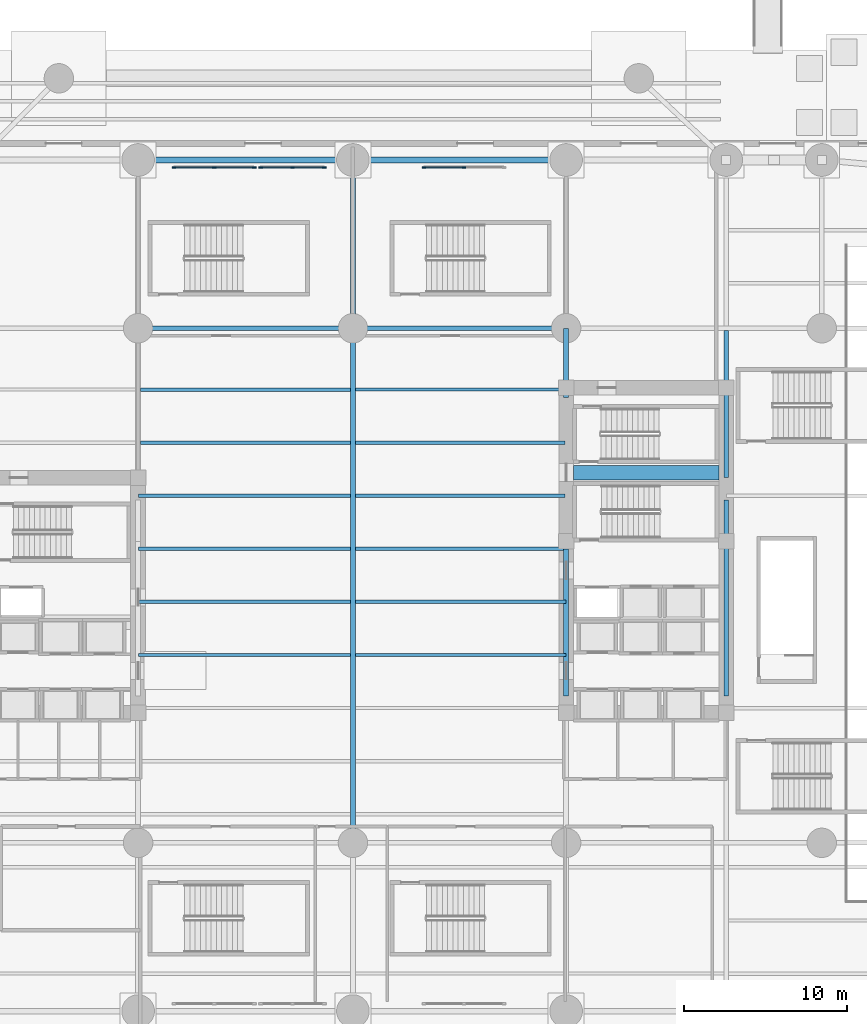
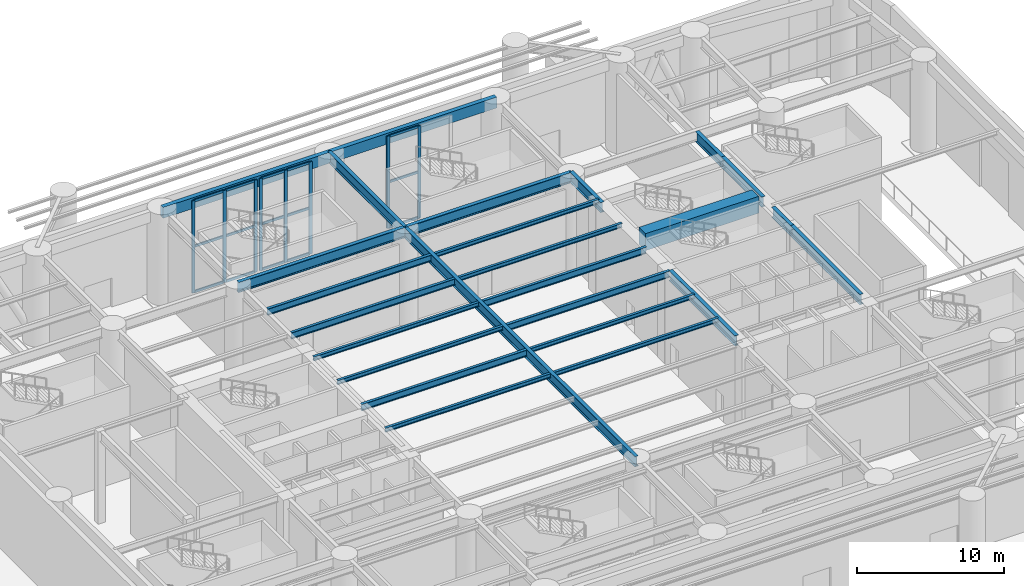
# One storey, part 5 of 25: 25 beams, 23 members, 3 elements without a shape of their own.
"""IFC4 building model written with IfcOpenShell, lengths in metres."""

from ifc_helpers import new_model, si_unit, direction, frame, origin, origin_2d, place, context, subcontext, project, spatial, rectangle, hollow_rectangle, i_section, extrude, material, material_profile, profile_set, type_object, element, aggregate, save


model = new_model("IFC4")

# Units and contexts
model_context = context("Model", 3, precision=1e-05, world=origin(), true_north=direction((0.0, 1.0)))
body_context = subcontext(model_context, "Body", "Model", "MODEL_VIEW")
ifc_project = project(units=[si_unit("LENGTHUNIT", "METRE"), si_unit("AREAUNIT", "SQUARE_METRE"), si_unit("VOLUMEUNIT", "CUBIC_METRE"), si_unit("PLANEANGLEUNIT", "RADIAN"), si_unit("MASSUNIT", "GRAM", prefix="KILO")], contexts=[model_context])

# Site, building, storey
site_placement = place(None, origin())
site = spatial("IfcSite", under=ifc_project, at=site_placement, CompositionType="ELEMENT")
building_placement = place(site_placement, origin())
building = spatial("IfcBuilding", under=site, at=building_placement, Name="Kolvaren Arena Tower", CompositionType="ELEMENT")
storey_placement = place(building_placement, origin())
storey = spatial("IfcBuildingStorey", under=building, at=storey_placement, Name="L00", CompositionType="ELEMENT", Elevation=0.0)

# Beams
ifc_material_1 = material(Name="Steel CSA G40.21 350W", Category="steel")
ifc_material_profile_1 = material_profile(ifc_material_1, i_section(OverallWidth=0.2119140625, OverallDepth=0.54296875, WebThickness=0.01318359375, FlangeThickness=0.0244140625, FilletRadius=0.013916015625, at=origin_2d()), Name="W530x150")
ifc_profile_set_1 = profile_set([ifc_material_profile_1], Name="Steel CSA G40.21 350W")
beam_type_1 = type_object("IfcBeamType", Name="BEAM-F1", PredefinedType="BEAM", material=ifc_profile_set_1)
beam_1_placement = place(storey_placement, frame((24.3701171875, 26.25, 7.37841796875), z_axis=(1.0, 0.0, 0.0), x_axis=(0.0, 1.0, 0.0)))
element("IfcBeam", 1, at=beam_1_placement, inside=storey, type_object=beam_type_1, Name="Composite Floor Beam (L00)", PredefinedType="BEAM", context=body_context, shape_type="SweptSolid", body=[
    extrude(i_section(OverallWidth=0.2119140625, OverallDepth=0.54296875, WebThickness=0.01318359375, FlangeThickness=0.0244140625, FilletRadius=0.013916015625, at=origin_2d()), origin(), (0.0, 0.0, 1.0), 12.98388671875),
])
for number, where, z_axis, x_axis, name in (
    (2, (37.64599609375, 29.5, 7.37841796875), (1.0, 0.0, 0.0), (0.0, 1.0, 0.0), "Composite Floor Beam (L00)"),
    (3, (37.64599609375, 32.75, 7.37841796875), (1.0, 0.0, 0.0), (0.0, 1.0, 0.0), "Composite Floor Beam (L00)"),
):
    element("IfcBeam", number, at=place(storey_placement, frame(where, z_axis=z_axis, x_axis=x_axis)), inside=storey, type_object=beam_type_1, Name=name, PredefinedType="BEAM", context=body_context, shape_type="SweptSolid", body=[
        extrude(i_section(OverallWidth=0.2119140625, OverallDepth=0.54296875, WebThickness=0.01318359375, FlangeThickness=0.0244140625, FilletRadius=0.013916015625, at=origin_2d()), origin(), (0.0, 0.0, 1.0), 12.833984375),
    ])
for number, where, z_axis, x_axis, name in (
    (4, (24.49609375, 36.0, 7.37841796875), (1.0, 0.0, 0.0), (0.0, 1.0, 0.0), "Composite Floor Beam (L00)"),
    (5, (24.49609375, 39.25, 7.37841796875), (1.0, 0.0, 0.0), (0.0, 1.0, 0.0), "Composite Floor Beam (L00)"),
):
    element("IfcBeam", number, at=place(storey_placement, frame(where, z_axis=z_axis, x_axis=x_axis)), inside=storey, type_object=beam_type_1, Name=name, PredefinedType="BEAM", context=body_context, shape_type="SweptSolid", body=[
        extrude(i_section(OverallWidth=0.2119140625, OverallDepth=0.54296875, WebThickness=0.01318359375, FlangeThickness=0.0244140625, FilletRadius=0.013916015625, at=origin_2d()), origin(), (0.0, 0.0, 1.0), 12.85791015625),
    ])
ifc_material_2 = material(Name="Concrete 75 MPa", Category="concrete")
ifc_material_profile_2 = material_profile(ifc_material_2, rectangle(XDim=0.89990234375, YDim=1.39990234375, at=origin_2d()), Name="RC-900x1400")
ifc_profile_set_2 = profile_set([ifc_material_profile_2], Name="Concrete 75 MPa")
beam_type_2 = type_object("IfcBeamType", Name="CB-CORE-1", PredefinedType="BEAM", material=ifc_profile_set_2)
beam_2_placement = place(storey_placement, frame((51.0, 34.14990234375, 7.219970703125), z_axis=(1.0, 0.0, 0.0), x_axis=(0.0, 1.0, 0.0)))
element("IfcBeam", 6, at=beam_2_placement, inside=storey, type_object=beam_type_2, Name="East Core Coupling Beam (L00)", PredefinedType="BEAM", context=body_context, shape_type="SweptSolid", body=[
    extrude(rectangle(XDim=0.89990234375, YDim=1.39990234375, at=origin_2d()), origin(), (0.0, 0.0, 1.0), 8.89990234375),
])

# Curtain wall, members
ifc_material_3 = material(Name="Anodised aluminium unitised curtain wall", Category="aluminium")
curtain_wall_type = type_object("IfcCurtainWallType", Name="CW-SYS-01", PredefinedType="USERDEFINED", material=ifc_material_3)
curtain_wall_1_placement = place(storey_placement, origin())
curtain_wall_1 = element("IfcCurtainWall", 7, at=curtain_wall_1_placement, inside=storey, type_object=curtain_wall_type, Name="Ground Concourse Unitised Curtain Wall (L00)", ObjectType="UNITISED CURTAIN WALL", PredefinedType="USERDEFINED")
ifc_material_4 = material(Name="Anodised aluminium 6063-T6", Category="aluminium")
ifc_material_profile_3 = material_profile(ifc_material_4, rectangle(XDim=0.10009765625, YDim=0.239990234375, at=origin_2d()), Name="ALU-100x240")
ifc_profile_set_3 = profile_set([ifc_material_profile_3], Name="Anodised aluminium 6063-T6")
member_type_1 = type_object("IfcMemberType", Name="CWM-HVY", PredefinedType="MULLION", material=ifc_profile_set_3)
member_1_placement = place(storey_placement, frame((26.550048828125, 52.85009765625, 0.0), z_axis=(0.0, 0.0, 1.0), x_axis=(0.0, 1.0, 0.0)))
member_1 = element("IfcMember", 8, at=member_1_placement, type_object=member_type_1, Name="CW1 mullion 1", PredefinedType="MULLION", context=body_context, shape_type="SweptSolid", body=[
    extrude(rectangle(XDim=0.10009765625, YDim=0.239990234375, at=origin_2d()), origin(), (0.0, 0.0, 1.0), 7.64990234375),
])
member_2_placement = place(storey_placement, frame((29.0, 52.85009765625, 0.0), z_axis=(0.0, 0.0, 1.0), x_axis=(0.0, 1.0, 0.0)))
member_2 = element("IfcMember", 9, at=member_2_placement, type_object=member_type_1, Name="CW1 mullion 2", PredefinedType="MULLION", context=body_context, shape_type="SweptSolid", body=[
    extrude(rectangle(XDim=0.10009765625, YDim=0.239990234375, at=origin_2d()), origin(), (0.0, 0.0, 1.0), 7.64990234375),
])
member_3_placement = place(storey_placement, frame((31.449951171875, 52.85009765625, 0.0), z_axis=(0.0, 0.0, 1.0), x_axis=(0.0, 1.0, 0.0)))
member_3 = element("IfcMember", 10, at=member_3_placement, type_object=member_type_1, Name="CW1 mullion 3", PredefinedType="MULLION", context=body_context, shape_type="SweptSolid", body=[
    extrude(rectangle(XDim=0.10009765625, YDim=0.239990234375, at=origin_2d()), origin(), (0.0, 0.0, 1.0), 7.64990234375),
])

curtain_wall_2_placement = place(storey_placement, origin())
curtain_wall_2 = element("IfcCurtainWall", 11, at=curtain_wall_2_placement, inside=storey, type_object=curtain_wall_type, Name="Ground Concourse Unitised Curtain Wall (L00)", ObjectType="UNITISED CURTAIN WALL", PredefinedType="USERDEFINED")
member_4_placement = place(storey_placement, frame((31.85009765625, 52.85009765625, 0.0), z_axis=(0.0, 0.0, 1.0), x_axis=(0.0, 1.0, 0.0)))
member_4 = element("IfcMember", 12, at=member_4_placement, type_object=member_type_1, Name="CW1 mullion 1", PredefinedType="MULLION", context=body_context, shape_type="SweptSolid", body=[
    extrude(rectangle(XDim=0.10009765625, YDim=0.239990234375, at=origin_2d()), origin(), (0.0, 0.0, 1.0), 7.64990234375),
])
member_5_placement = place(storey_placement, frame((33.800048828125, 52.85009765625, 0.0), z_axis=(0.0, 0.0, 1.0), x_axis=(0.0, 1.0, 0.0)))
member_5 = element("IfcMember", 13, at=member_5_placement, type_object=member_type_1, Name="CW1 mullion 2", PredefinedType="MULLION", context=body_context, shape_type="SweptSolid", body=[
    extrude(rectangle(XDim=0.10009765625, YDim=0.239990234375, at=origin_2d()), origin(), (0.0, 0.0, 1.0), 7.64990234375),
])
member_6_placement = place(storey_placement, frame((35.75, 52.85009765625, 0.0), z_axis=(0.0, 0.0, 1.0), x_axis=(0.0, 1.0, 0.0)))
member_6 = element("IfcMember", 14, at=member_6_placement, type_object=member_type_1, Name="CW1 mullion 3", PredefinedType="MULLION", context=body_context, shape_type="SweptSolid", body=[
    extrude(rectangle(XDim=0.10009765625, YDim=0.239990234375, at=origin_2d()), origin(), (0.0, 0.0, 1.0), 7.64990234375),
])

curtain_wall_3_placement = place(storey_placement, origin())
curtain_wall_3 = element("IfcCurtainWall", 15, at=curtain_wall_3_placement, inside=storey, type_object=curtain_wall_type, Name="Ground Concourse Unitised Curtain Wall (L00)", ObjectType="UNITISED CURTAIN WALL", PredefinedType="USERDEFINED")
member_7_placement = place(storey_placement, frame((41.85009765625, 52.85009765625, 0.0), z_axis=(0.0, 0.0, 1.0), x_axis=(0.0, 1.0, 0.0)))
member_7 = element("IfcMember", 16, at=member_7_placement, type_object=member_type_1, Name="CW1 mullion 1", PredefinedType="MULLION", context=body_context, shape_type="SweptSolid", body=[
    extrude(rectangle(XDim=0.10009765625, YDim=0.239990234375, at=origin_2d()), origin(), (0.0, 0.0, 1.0), 7.64990234375),
])
member_8_placement = place(storey_placement, frame((44.300048828125, 52.85009765625, 0.0), z_axis=(0.0, 0.0, 1.0), x_axis=(0.0, 1.0, 0.0)))
member_8 = element("IfcMember", 17, at=member_8_placement, type_object=member_type_1, Name="CW1 mullion 2", PredefinedType="MULLION", context=body_context, shape_type="SweptSolid", body=[
    extrude(rectangle(XDim=0.10009765625, YDim=0.239990234375, at=origin_2d()), origin(), (0.0, 0.0, 1.0), 7.64990234375),
])

# Member
ifc_material_profile_4 = material_profile(ifc_material_4, rectangle(XDim=0.10009765625, YDim=0.199951171875, at=origin_2d()), Name="ALU-100x200")
ifc_profile_set_4 = profile_set([ifc_material_profile_4], Name="Anodised aluminium 6063-T6")
member_type_2 = type_object("IfcMemberType", Name="CWT-HVY", PredefinedType="USERDEFINED", material=ifc_profile_set_4)
member_9_placement = place(storey_placement, frame((26.60009765625, 52.85009765625, 0.050048828125), z_axis=(1.0, 0.0, 0.0), x_axis=(0.0, 1.0, 0.0)))
member_9 = element("IfcMember", 18, at=member_9_placement, type_object=member_type_2, Name="CW1 transom 1.1", ObjectType="TRANSOM", PredefinedType="USERDEFINED", context=body_context, shape_type="SweptSolid", body=[
    extrude(rectangle(XDim=0.10009765625, YDim=0.199951171875, at=origin_2d()), origin(), (0.0, 0.0, 1.0), 2.349853515625),
])

member_10_placement = place(storey_placement, frame((26.60009765625, 52.85009765625, 3.824951171875), z_axis=(1.0, 0.0, 0.0), x_axis=(0.0, 1.0, 0.0)))
member_10 = element("IfcMember", 19, at=member_10_placement, type_object=member_type_2, Name="CW1 transom 1.2", ObjectType="TRANSOM", PredefinedType="USERDEFINED", context=body_context, shape_type="SweptSolid", body=[
    extrude(rectangle(XDim=0.10009765625, YDim=0.199951171875, at=origin_2d()), origin(), (0.0, 0.0, 1.0), 2.349853515625),
])

member_11_placement = place(storey_placement, frame((26.60009765625, 52.85009765625, 7.60009765625), z_axis=(1.0, 0.0, 0.0), x_axis=(0.0, 1.0, 0.0)))
member_11 = element("IfcMember", 20, at=member_11_placement, type_object=member_type_2, Name="CW1 transom 1.3", ObjectType="TRANSOM", PredefinedType="USERDEFINED", context=body_context, shape_type="SweptSolid", body=[
    extrude(rectangle(XDim=0.10009765625, YDim=0.199951171875, at=origin_2d()), origin(), (0.0, 0.0, 1.0), 2.349853515625),
])

member_12_placement = place(storey_placement, frame((29.050048828125, 52.85009765625, 0.050048828125), z_axis=(1.0, 0.0, 0.0), x_axis=(0.0, 1.0, 0.0)))
member_12 = element("IfcMember", 21, at=member_12_placement, type_object=member_type_2, Name="CW1 transom 2.1", ObjectType="TRANSOM", PredefinedType="USERDEFINED", context=body_context, shape_type="SweptSolid", body=[
    extrude(rectangle(XDim=0.10009765625, YDim=0.199951171875, at=origin_2d()), origin(), (0.0, 0.0, 1.0), 2.349853515625),
])

member_13_placement = place(storey_placement, frame((29.050048828125, 52.85009765625, 3.824951171875), z_axis=(1.0, 0.0, 0.0), x_axis=(0.0, 1.0, 0.0)))
member_13 = element("IfcMember", 22, at=member_13_placement, type_object=member_type_2, Name="CW1 transom 2.2", ObjectType="TRANSOM", PredefinedType="USERDEFINED", context=body_context, shape_type="SweptSolid", body=[
    extrude(rectangle(XDim=0.10009765625, YDim=0.199951171875, at=origin_2d()), origin(), (0.0, 0.0, 1.0), 2.349853515625),
])

member_14_placement = place(storey_placement, frame((29.050048828125, 52.85009765625, 7.60009765625), z_axis=(1.0, 0.0, 0.0), x_axis=(0.0, 1.0, 0.0)))
member_14 = element("IfcMember", 23, at=member_14_placement, type_object=member_type_2, Name="CW1 transom 2.3", ObjectType="TRANSOM", PredefinedType="USERDEFINED", context=body_context, shape_type="SweptSolid", body=[
    extrude(rectangle(XDim=0.10009765625, YDim=0.199951171875, at=origin_2d()), origin(), (0.0, 0.0, 1.0), 2.349853515625),
])

aggregate(curtain_wall_1, [member_1, member_2, member_3, member_9, member_10, member_11, member_12, member_13, member_14])

member_15_placement = place(storey_placement, frame((31.89990234375, 52.85009765625, 0.050048828125), z_axis=(1.0, 0.0, 0.0), x_axis=(0.0, 1.0, 0.0)))
member_15 = element("IfcMember", 24, at=member_15_placement, type_object=member_type_2, Name="CW1 transom 1.1", ObjectType="TRANSOM", PredefinedType="USERDEFINED", context=body_context, shape_type="SweptSolid", body=[
    extrude(rectangle(XDim=0.10009765625, YDim=0.199951171875, at=origin_2d()), origin(), (0.0, 0.0, 1.0), 1.85009765625),
])

member_16_placement = place(storey_placement, frame((31.89990234375, 52.85009765625, 3.824951171875), z_axis=(1.0, 0.0, 0.0), x_axis=(0.0, 1.0, 0.0)))
member_16 = element("IfcMember", 25, at=member_16_placement, type_object=member_type_2, Name="CW1 transom 1.2", ObjectType="TRANSOM", PredefinedType="USERDEFINED", context=body_context, shape_type="SweptSolid", body=[
    extrude(rectangle(XDim=0.10009765625, YDim=0.199951171875, at=origin_2d()), origin(), (0.0, 0.0, 1.0), 1.85009765625),
])

member_17_placement = place(storey_placement, frame((31.89990234375, 52.85009765625, 7.60009765625), z_axis=(1.0, 0.0, 0.0), x_axis=(0.0, 1.0, 0.0)))
member_17 = element("IfcMember", 26, at=member_17_placement, type_object=member_type_2, Name="CW1 transom 1.3", ObjectType="TRANSOM", PredefinedType="USERDEFINED", context=body_context, shape_type="SweptSolid", body=[
    extrude(rectangle(XDim=0.10009765625, YDim=0.199951171875, at=origin_2d()), origin(), (0.0, 0.0, 1.0), 1.85009765625),
])

member_18_placement = place(storey_placement, frame((33.85009765625, 52.85009765625, 0.050048828125), z_axis=(1.0, 0.0, 0.0), x_axis=(0.0, 1.0, 0.0)))
member_18 = element("IfcMember", 27, at=member_18_placement, type_object=member_type_2, Name="CW1 transom 2.1", ObjectType="TRANSOM", PredefinedType="USERDEFINED", context=body_context, shape_type="SweptSolid", body=[
    extrude(rectangle(XDim=0.10009765625, YDim=0.199951171875, at=origin_2d()), origin(), (0.0, 0.0, 1.0), 1.849853515625),
])

member_19_placement = place(storey_placement, frame((33.85009765625, 52.85009765625, 3.824951171875), z_axis=(1.0, 0.0, 0.0), x_axis=(0.0, 1.0, 0.0)))
member_19 = element("IfcMember", 28, at=member_19_placement, type_object=member_type_2, Name="CW1 transom 2.2", ObjectType="TRANSOM", PredefinedType="USERDEFINED", context=body_context, shape_type="SweptSolid", body=[
    extrude(rectangle(XDim=0.10009765625, YDim=0.199951171875, at=origin_2d()), origin(), (0.0, 0.0, 1.0), 1.849853515625),
])

member_20_placement = place(storey_placement, frame((33.85009765625, 52.85009765625, 7.60009765625), z_axis=(1.0, 0.0, 0.0), x_axis=(0.0, 1.0, 0.0)))
member_20 = element("IfcMember", 29, at=member_20_placement, type_object=member_type_2, Name="CW1 transom 2.3", ObjectType="TRANSOM", PredefinedType="USERDEFINED", context=body_context, shape_type="SweptSolid", body=[
    extrude(rectangle(XDim=0.10009765625, YDim=0.199951171875, at=origin_2d()), origin(), (0.0, 0.0, 1.0), 1.849853515625),
])

aggregate(curtain_wall_2, [member_4, member_5, member_6, member_15, member_16, member_17, member_18, member_19, member_20])

member_21_placement = place(storey_placement, frame((41.89990234375, 52.85009765625, 0.050048828125), z_axis=(1.0, 0.0, 0.0), x_axis=(0.0, 1.0, 0.0)))
member_21 = element("IfcMember", 30, at=member_21_placement, type_object=member_type_2, Name="CW1 transom 1.1", ObjectType="TRANSOM", PredefinedType="USERDEFINED", context=body_context, shape_type="SweptSolid", body=[
    extrude(rectangle(XDim=0.10009765625, YDim=0.199951171875, at=origin_2d()), origin(), (0.0, 0.0, 1.0), 2.35009765625),
])

member_22_placement = place(storey_placement, frame((41.89990234375, 52.85009765625, 3.824951171875), z_axis=(1.0, 0.0, 0.0), x_axis=(0.0, 1.0, 0.0)))
member_22 = element("IfcMember", 31, at=member_22_placement, type_object=member_type_2, Name="CW1 transom 1.2", ObjectType="TRANSOM", PredefinedType="USERDEFINED", context=body_context, shape_type="SweptSolid", body=[
    extrude(rectangle(XDim=0.10009765625, YDim=0.199951171875, at=origin_2d()), origin(), (0.0, 0.0, 1.0), 2.35009765625),
])

member_23_placement = place(storey_placement, frame((41.89990234375, 52.85009765625, 7.60009765625), z_axis=(1.0, 0.0, 0.0), x_axis=(0.0, 1.0, 0.0)))
member_23 = element("IfcMember", 32, at=member_23_placement, type_object=member_type_2, Name="CW1 transom 1.3", ObjectType="TRANSOM", PredefinedType="USERDEFINED", context=body_context, shape_type="SweptSolid", body=[
    extrude(rectangle(XDim=0.10009765625, YDim=0.199951171875, at=origin_2d()), origin(), (0.0, 0.0, 1.0), 2.35009765625),
])

aggregate(curtain_wall_3, [member_7, member_8, member_21, member_22, member_23])

# Beams
ifc_material_profile_5 = material_profile(ifc_material_1, i_section(OverallWidth=0.2919921875, OverallDepth=0.85498046875, WebThickness=0.02099609375, FlangeThickness=0.03564453125, FilletRadius=0.01806640625, at=origin_2d()), Name="W840x299")
ifc_profile_set_5 = profile_set([ifc_material_profile_5], Name="Steel CSA G40.21 350W")
beam_type_3 = type_object("IfcBeamType", Name="GIRD-P1", PredefinedType="BEAM", material=ifc_profile_set_5)
beam_3_placement = place(storey_placement, frame((24.35009765625, 43.0, 7.222412109375), z_axis=(1.0, 0.0, 0.0), x_axis=(0.0, 1.0, 0.0)))
element("IfcBeam", 33, at=beam_3_placement, inside=storey, type_object=beam_type_3, Name="Primary Floor Girder (L00)", PredefinedType="BEAM", context=body_context, shape_type="SweptSolid", body=[
    extrude(i_section(OverallWidth=0.2919921875, OverallDepth=0.85498046875, WebThickness=0.02099609375, FlangeThickness=0.03564453125, FilletRadius=0.01806640625, at=origin_2d()), origin(), (0.0, 0.0, 1.0), 13.14990234375),
])
beam_4_placement = place(storey_placement, frame((37.5, 43.0, 7.222412109375), z_axis=(1.0, 0.0, 0.0), x_axis=(0.0, 1.0, 0.0)))
element("IfcBeam", 34, at=beam_4_placement, inside=storey, type_object=beam_type_3, Name="Primary Floor Girder (L00)", PredefinedType="BEAM", context=body_context, shape_type="SweptSolid", body=[
    extrude(i_section(OverallWidth=0.2919921875, OverallDepth=0.85498046875, WebThickness=0.02099609375, FlangeThickness=0.03564453125, FilletRadius=0.01806640625, at=origin_2d()), origin(), (0.0, 0.0, 1.0), 13.050048828125),
])
beam_5_placement = place(storey_placement, frame((37.5, 11.5, 7.222412109375), z_axis=(0.0, 1.0, 0.0), x_axis=(-1.0, 0.0, 0.0)))
element("IfcBeam", 35, at=beam_5_placement, inside=storey, type_object=beam_type_3, Name="Primary Floor Girder (L00)", PredefinedType="BEAM", context=body_context, shape_type="SweptSolid", body=[
    extrude(i_section(OverallWidth=0.2919921875, OverallDepth=0.85498046875, WebThickness=0.02099609375, FlangeThickness=0.03564453125, FilletRadius=0.01806640625, at=origin_2d()), origin(), (0.0, 0.0, 1.0), 31.5),
])
beam_6_placement = place(storey_placement, frame((37.5, 43.0, 7.222412109375), z_axis=(0.0, 1.0, 0.0), x_axis=(-1.0, 0.0, 0.0)))
element("IfcBeam", 36, at=beam_6_placement, inside=storey, type_object=beam_type_3, Name="Primary Floor Girder (L00)", PredefinedType="BEAM", context=body_context, shape_type="SweptSolid", body=[
    extrude(i_section(OverallWidth=0.2919921875, OverallDepth=0.85498046875, WebThickness=0.02099609375, FlangeThickness=0.03564453125, FilletRadius=0.01806640625, at=origin_2d()), origin(), (0.0, 0.0, 1.0), 10.300048828125),
])
beam_7_placement = place(storey_placement, frame((50.550048828125, 20.5, 7.222412109375), z_axis=(0.0, 1.0, 0.0), x_axis=(-1.0, 0.0, 0.0)))
element("IfcBeam", 37, at=beam_7_placement, inside=storey, type_object=beam_type_3, Name="Primary Floor Girder (L00)", PredefinedType="BEAM", context=body_context, shape_type="SweptSolid", body=[
    extrude(i_section(OverallWidth=0.2919921875, OverallDepth=0.85498046875, WebThickness=0.02099609375, FlangeThickness=0.03564453125, FilletRadius=0.01806640625, at=origin_2d()), origin(), (0.0, 0.0, 1.0), 8.989990234375),
])
beam_8_placement = place(storey_placement, frame((50.550048828125, 38.760009765625, 7.222412109375), z_axis=(0.0, 1.0, 0.0), x_axis=(-1.0, 0.0, 0.0)))
element("IfcBeam", 38, at=beam_8_placement, inside=storey, type_object=beam_type_3, Name="Primary Floor Girder (L00)", PredefinedType="BEAM", context=body_context, shape_type="SweptSolid", body=[
    extrude(i_section(OverallWidth=0.2919921875, OverallDepth=0.85498046875, WebThickness=0.02099609375, FlangeThickness=0.03564453125, FilletRadius=0.01806640625, at=origin_2d()), origin(), (0.0, 0.0, 1.0), 4.239990234375),
])
beam_9_placement = place(storey_placement, frame((60.35009765625, 20.5, 7.222412109375), z_axis=(0.0, 1.0, 0.0), x_axis=(-1.0, 0.0, 0.0)))
element("IfcBeam", 39, at=beam_9_placement, inside=storey, type_object=beam_type_3, Name="Primary Floor Girder (L00)", PredefinedType="BEAM", context=body_context, shape_type="SweptSolid", body=[
    extrude(i_section(OverallWidth=0.2919921875, OverallDepth=0.85498046875, WebThickness=0.02099609375, FlangeThickness=0.03564453125, FilletRadius=0.01806640625, at=origin_2d()), origin(), (0.0, 0.0, 1.0), 9.449951171875),
])
beam_10_placement = place(storey_placement, frame((60.35009765625, 29.949951171875, 7.222412109375), z_axis=(0.0, 1.0, 0.0), x_axis=(-1.0, 0.0, 0.0)))
element("IfcBeam", 40, at=beam_10_placement, inside=storey, type_object=beam_type_3, Name="Primary Floor Girder (L00)", PredefinedType="BEAM", context=body_context, shape_type="SweptSolid", body=[
    extrude(i_section(OverallWidth=0.2919921875, OverallDepth=0.85498046875, WebThickness=0.02099609375, FlangeThickness=0.03564453125, FilletRadius=0.01806640625, at=origin_2d()), origin(), (0.0, 0.0, 1.0), 2.550048828125),
])
beam_11_placement = place(storey_placement, frame((60.35009765625, 33.85009765625, 7.222412109375), z_axis=(0.0, 1.0, 0.0), x_axis=(-1.0, 0.0, 0.0)))
element("IfcBeam", 41, at=beam_11_placement, inside=storey, type_object=beam_type_3, Name="Primary Floor Girder (L00)", PredefinedType="BEAM", context=body_context, shape_type="SweptSolid", body=[
    extrude(i_section(OverallWidth=0.2919921875, OverallDepth=0.85498046875, WebThickness=0.02099609375, FlangeThickness=0.03564453125, FilletRadius=0.01806640625, at=origin_2d()), origin(), (0.0, 0.0, 1.0), 5.5),
])
beam_12_placement = place(storey_placement, frame((60.35009765625, 39.35009765625, 7.222412109375), z_axis=(0.0, 1.0, 0.0), x_axis=(-1.0, 0.0, 0.0)))
element("IfcBeam", 42, at=beam_12_placement, inside=storey, type_object=beam_type_3, Name="Primary Floor Girder (L00)", PredefinedType="BEAM", context=body_context, shape_type="SweptSolid", body=[
    extrude(i_section(OverallWidth=0.2919921875, OverallDepth=0.85498046875, WebThickness=0.02099609375, FlangeThickness=0.03564453125, FilletRadius=0.01806640625, at=origin_2d()), origin(), (0.0, 0.0, 1.0), 3.50390625),
])
ifc_material_profile_6 = material_profile(ifc_material_1, i_section(OverallWidth=0.202880859375, OverallDepth=0.346923828125, WebThickness=0.0078125, FlangeThickness=0.013427734375, FilletRadius=0.010986328125, at=origin_2d()), Name="W360x64")
ifc_profile_set_6 = profile_set([ifc_material_profile_6], Name="Steel CSA G40.21 350W")
beam_type_4 = type_object("IfcBeamType", Name="JOIST-01", PredefinedType="JOIST", material=ifc_profile_set_6)
beam_13_placement = place(storey_placement, frame((24.3701171875, 23.0, 7.4765625), z_axis=(1.0, 0.0, 0.0), x_axis=(0.0, 1.0, 0.0)))
element("IfcBeam", 43, at=beam_13_placement, inside=storey, type_object=beam_type_4, Name="Composite Floor Joist (L00)", PredefinedType="JOIST", context=body_context, shape_type="SweptSolid", body=[
    extrude(i_section(OverallWidth=0.202880859375, OverallDepth=0.346923828125, WebThickness=0.0078125, FlangeThickness=0.013427734375, FilletRadius=0.010986328125, at=origin_2d()), origin(), (0.0, 0.0, 1.0), 12.98388671875),
])
for number, where, z_axis, x_axis, name in (
    (44, (37.64599609375, 23.0, 7.4765625), (1.0, 0.0, 0.0), (0.0, 1.0, 0.0), "Composite Floor Joist (L00)"),
    (45, (37.64599609375, 26.25, 7.4765625), (1.0, 0.0, 0.0), (0.0, 1.0, 0.0), "Composite Floor Joist (L00)"),
):
    element("IfcBeam", number, at=place(storey_placement, frame(where, z_axis=z_axis, x_axis=x_axis)), inside=storey, type_object=beam_type_4, Name=name, PredefinedType="JOIST", context=body_context, shape_type="SweptSolid", body=[
        extrude(i_section(OverallWidth=0.202880859375, OverallDepth=0.346923828125, WebThickness=0.0078125, FlangeThickness=0.013427734375, FilletRadius=0.010986328125, at=origin_2d()), origin(), (0.0, 0.0, 1.0), 12.884033203125),
    ])
for number, where, z_axis, x_axis, name in (
    (46, (24.3701171875, 29.5, 7.4765625), (1.0, 0.0, 0.0), (0.0, 1.0, 0.0), "Composite Floor Joist (L00)"),
    (47, (24.3701171875, 32.75, 7.4765625), (1.0, 0.0, 0.0), (0.0, 1.0, 0.0), "Composite Floor Joist (L00)"),
):
    element("IfcBeam", number, at=place(storey_placement, frame(where, z_axis=z_axis, x_axis=x_axis)), inside=storey, type_object=beam_type_4, Name=name, PredefinedType="JOIST", context=body_context, shape_type="SweptSolid", body=[
        extrude(i_section(OverallWidth=0.202880859375, OverallDepth=0.346923828125, WebThickness=0.0078125, FlangeThickness=0.013427734375, FilletRadius=0.010986328125, at=origin_2d()), origin(), (0.0, 0.0, 1.0), 12.98388671875),
    ])
beam_14_placement = place(storey_placement, frame((37.64599609375, 36.0, 7.4765625), z_axis=(1.0, 0.0, 0.0), x_axis=(0.0, 1.0, 0.0)))
element("IfcBeam", 48, at=beam_14_placement, inside=storey, type_object=beam_type_4, Name="Composite Floor Joist (L00)", PredefinedType="JOIST", context=body_context, shape_type="SweptSolid", body=[
    extrude(i_section(OverallWidth=0.202880859375, OverallDepth=0.346923828125, WebThickness=0.0078125, FlangeThickness=0.013427734375, FilletRadius=0.010986328125, at=origin_2d()), origin(), (0.0, 0.0, 1.0), 12.833984375),
])
beam_15_placement = place(storey_placement, frame((37.64599609375, 39.25, 7.4765625), z_axis=(1.0, 0.0, 0.0), x_axis=(0.0, 1.0, 0.0)))
element("IfcBeam", 49, at=beam_15_placement, inside=storey, type_object=beam_type_4, Name="Composite Floor Joist (L00)", PredefinedType="JOIST", context=body_context, shape_type="SweptSolid", body=[
    extrude(i_section(OverallWidth=0.202880859375, OverallDepth=0.346923828125, WebThickness=0.0078125, FlangeThickness=0.013427734375, FilletRadius=0.010986328125, at=origin_2d()), origin(), (0.0, 0.0, 1.0), 12.884033203125),
])
ifc_material_5 = material(Name="Steel CSA G40.21 350WT", Category="steel")
ifc_material_profile_7 = material_profile(ifc_material_5, hollow_rectangle(XDim=0.35009765625, YDim=0.89990234375, WallThickness=0.02001953125, at=origin_2d()), Name="HSS 900x350x20")
ifc_profile_set_7 = profile_set([ifc_material_profile_7], Name="Steel CSA G40.21 350WT")
beam_type_5 = type_object("IfcBeamType", Name="SPAND-01", PredefinedType="SPANDREL", material=ifc_profile_set_7)
beam_16_placement = place(storey_placement, frame((50.550048828125, 53.300048828125, 7.199951171875), z_axis=(-1.0, 0.0, 0.0), x_axis=(0.0, -1.0, 0.0)))
element("IfcBeam", 50, at=beam_16_placement, inside=storey, type_object=beam_type_5, Name="Perimeter Spandrel Beam (L00)", PredefinedType="SPANDREL", context=body_context, shape_type="SweptSolid", body=[
    extrude(hollow_rectangle(XDim=0.35009765625, YDim=0.89990234375, WallThickness=0.02001953125, at=origin_2d()), origin(), (0.0, 0.0, 1.0), 13.050048828125),
])
beam_17_placement = place(storey_placement, frame((37.5, 53.300048828125, 7.199951171875), z_axis=(-1.0, 0.0, 0.0), x_axis=(0.0, -1.0, 0.0)))
element("IfcBeam", 51, at=beam_17_placement, inside=storey, type_object=beam_type_5, Name="Perimeter Spandrel Beam (L00)", PredefinedType="SPANDREL", context=body_context, shape_type="SweptSolid", body=[
    extrude(hollow_rectangle(XDim=0.35009765625, YDim=0.89990234375, WallThickness=0.02001953125, at=origin_2d()), origin(), (0.0, 0.0, 1.0), 13.14990234375),
])

save(model, "model.ifc")
